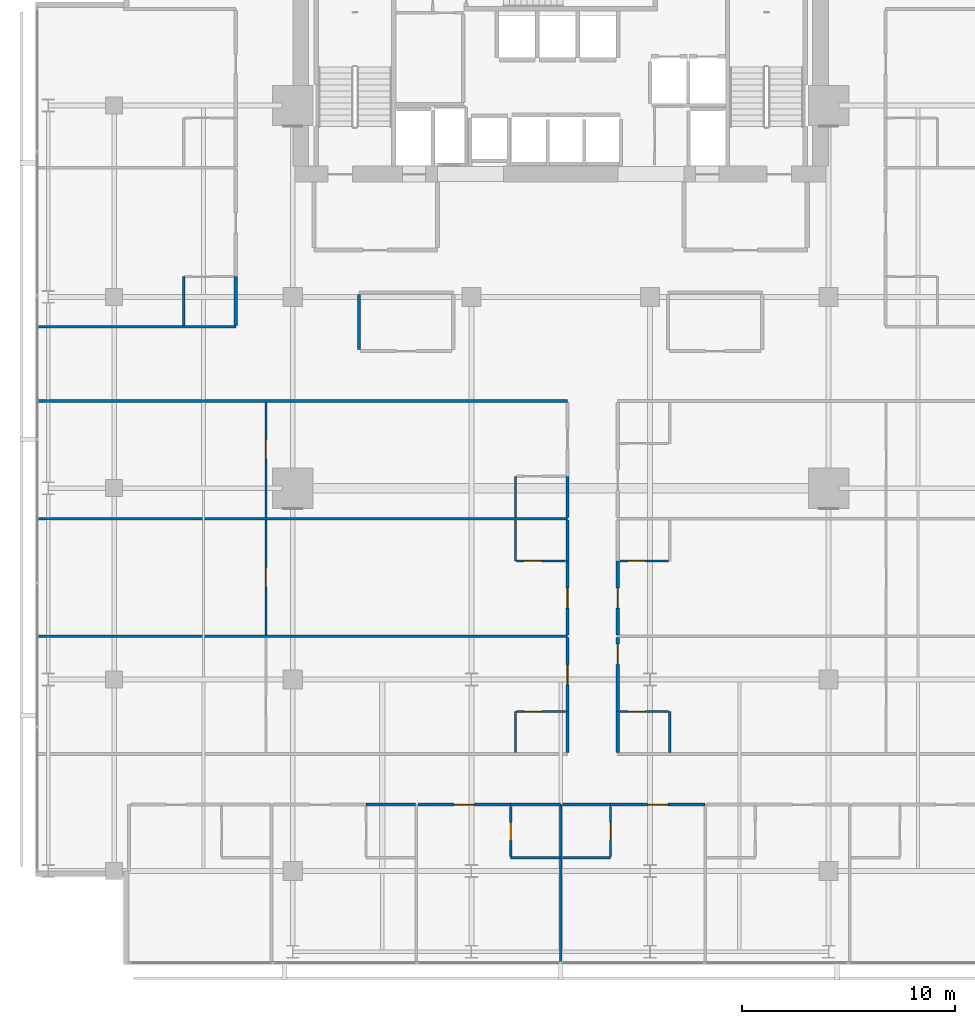
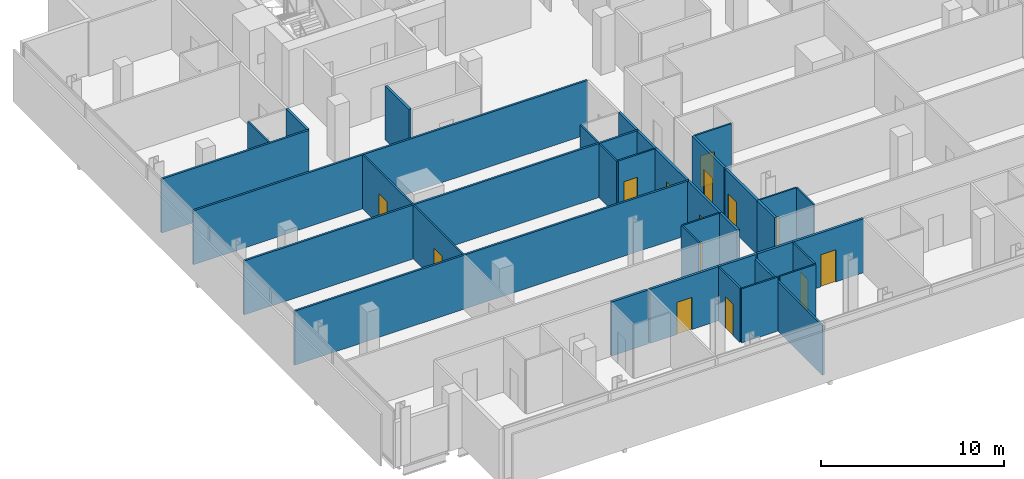
# One storey, part 27 of 33: 35 walls, 14 doors, 14 openings.
"""IFC4 building model written with IfcOpenShell, lengths in metres."""

import ifcopenshell
import ifcopenshell.guid

model = None  # the IFC model being written
_history = None  # IfcOwnerHistory: only IFC2X3 demands one
_inside = {}  # id of a spatial element -> (the spatial element, [elements in it])
_under = {}  # id of a project, library or spatial element -> (it, [spatial elements below it])
_declared = {}  # id of a project -> (the project, [libraries it declares])
_typed = {}  # id of a type object -> (the type object, [elements of that type])
_made_of = {}  # id of a material, layer set ... -> (it, [elements and type objects made of it])


def new_model(schema):
    """Start an empty IFC model of exactly this schema.

    Asked for "IFC4X3", IfcOpenShell would pick the latest addendum, in which some entities
    have other attributes; the version numbers below select the first issue.
    IFC2X3 requires an IfcOwnerHistory on every rooted entity: one is made here for all.
    """
    global model, _history
    if schema == "IFC4X3":
        model = ifcopenshell.file(schema_version=(4, 3, 0, 0))
    else:
        model = ifcopenshell.file(schema=schema)
    _inside.clear()
    _under.clear()
    _declared.clear()
    _typed.clear()
    _made_of.clear()
    _history = None
    if model.schema == "IFC2X3":
        org = make("IfcOrganization", Name="unknown")
        user = make(
            "IfcPersonAndOrganization",
            ThePerson=make("IfcPerson", FamilyName="unknown"),
            TheOrganization=org,
        )
        app = make(
            "IfcApplication",
            ApplicationDeveloper=org,
            Version="unknown",
            ApplicationFullName="unknown",
            ApplicationIdentifier="unknown",
        )
        _history = make(
            "IfcOwnerHistory",
            OwningUser=user,
            OwningApplication=app,
            ChangeAction="ADDED",
            CreationDate=0,
        )
    return model


def make(cls, **values):
    """One entity of the class cls with the attributes given. An attribute that is None is left unset."""
    return model.create_entity(
        cls, **{name: value for name, value in values.items() if value is not None}
    )


def rooted(cls, **values):
    """An entity with a GlobalId (a new one), such as an element, a storey or a relation."""
    return make(cls, GlobalId=ifcopenshell.guid.new(), OwnerHistory=_history, **values)


def si_unit(unit_type, name, prefix=None):
    """IfcSIUnit, for example si_unit("LENGTHUNIT", "METRE", prefix="MILLI")."""
    return make("IfcSIUnit", UnitType=unit_type, Prefix=prefix, Name=name)


def assignment(units):
    """IfcUnitAssignment: the units of a project."""
    return None if units is None else make("IfcUnitAssignment", Units=units)


def point(xyz):
    """IfcCartesianPoint."""
    return None if xyz is None else make("IfcCartesianPoint", Coordinates=xyz)


def direction(xyz):
    """IfcDirection."""
    return None if xyz is None else make("IfcDirection", DirectionRatios=xyz)


def frame(location, z_axis=None, x_axis=None):
    """IfcAxis2Placement3D, a coordinate frame: its origin and axes. An axis left out is left unset."""
    return make(
        "IfcAxis2Placement3D",
        Location=point(location),
        Axis=direction(z_axis),
        RefDirection=direction(x_axis),
    )


def frame_2d(location, x_axis=None):
    """IfcAxis2Placement2D, a coordinate frame in the plane: its origin and x axis."""
    return make(
        "IfcAxis2Placement2D", Location=point(location), RefDirection=direction(x_axis)
    )


def origin():
    """The frame at (0, 0, 0) with its axes left unset."""
    return frame((0.0, 0.0, 0.0))


def place(relative_to, where):
    """IfcLocalPlacement: puts the frame where relative to a parent placement (None: the world)."""
    return make(
        "IfcLocalPlacement", PlacementRelTo=relative_to, RelativePlacement=where
    )


def context(
    kind, dimensions, precision=None, world=None, true_north=None, identifier=None
):
    """IfcGeometricRepresentationContext, for example the 3D "Model" context."""
    return make(
        "IfcGeometricRepresentationContext",
        ContextIdentifier=identifier,
        ContextType=kind,
        CoordinateSpaceDimension=dimensions,
        Precision=precision,
        WorldCoordinateSystem=world,
        TrueNorth=true_north,
    )


def subcontext(parent, identifier, kind, view, scale=None):
    """IfcGeometricRepresentationSubContext, for example "Body" below "Model"."""
    return make(
        "IfcGeometricRepresentationSubContext",
        ContextIdentifier=identifier,
        ContextType=kind,
        ParentContext=parent,
        TargetScale=scale,
        TargetView=view,
    )


def project(units=None, contexts=None):
    """IfcProject with its units and contexts."""
    return rooted(
        "IfcProject",
        Name="project",
        RepresentationContexts=contexts,
        UnitsInContext=assignment(units),
    )


def spatial(cls, under=None, at=None, **own):
    """A site, building, storey or space (cls), placed at a placement, below another one or the project."""
    s = rooted(cls, ObjectPlacement=at, **own)
    if under is not None:
        _under.setdefault(under.id(), (under, []))[1].append(s)
    return s


def profile(cls, at=None, kind="AREA", **sizes):
    """A parametric profile (cls). Its sizes go by their IFC names, for example OverallWidth=200.0."""
    return make(cls, ProfileType=kind, Position=at, **sizes)


def rectangle(**sizes):
    """IfcRectangleProfileDef."""
    return profile("IfcRectangleProfileDef", **sizes)


def extrude(swept, where, along, depth):
    """IfcExtrudedAreaSolid: the profile swept, set in the frame where, extruded along a direction by depth."""
    return make(
        "IfcExtrudedAreaSolid",
        SweptArea=swept,
        Position=where,
        ExtrudedDirection=direction(along),
        Depth=depth,
    )


def shape(context_of_items, identifier, shape_type, items):
    """IfcShapeRepresentation: the items that make up one representation, for example the "Body"."""
    return make(
        "IfcShapeRepresentation",
        ContextOfItems=context_of_items,
        RepresentationIdentifier=identifier,
        RepresentationType=shape_type,
        Items=items,
    )


def material(Name=None, Category=None):
    """IfcMaterial."""
    return make("IfcMaterial", Name=Name, Category=Category)


def layer(
    of_material, thickness, ventilated=None, Name=None, Category=None, Priority=None
):
    """IfcMaterialLayer: one layer of a wall or slab, of a material (None: an air gap)."""
    return make(
        "IfcMaterialLayer",
        Material=of_material,
        LayerThickness=thickness,
        IsVentilated=ventilated,
        Name=Name,
        Category=Category,
        Priority=Priority,
    )


def layer_set(layers, Name=None):
    """IfcMaterialLayerSet."""
    return make("IfcMaterialLayerSet", MaterialLayers=layers, LayerSetName=Name)


def made_of(thing, what):
    """Note that an element or type object is made of a material, layer set ...; save() writes the relation."""
    if what is not None:
        _made_of.setdefault(what.id(), (what, []))[1].append(thing)
    return thing


def type_object(cls, material=None, **own):
    """A type object (cls), such as IfcWallType, which elements share."""
    return made_of(rooted(cls, **own), material)


def element(
    cls,
    number,
    at=None,
    inside=None,
    cuts=None,
    type_object=None,
    material=None,
    context=None,
    identifier="Body",
    shape_type=None,
    held_by="IfcProductDefinitionShape",
    body=None,
    shapes=None,
    **own,
):
    """One element of the class cls, such as IfcWall. Its Tag is "e" and its number.

    at: its placement. inside: the storey or other place that contains it. cuts: it is an
    opening in that element (IfcRelVoidsElement). A single representation is given by context,
    identifier, shape_type and body (its items); several are given by shapes. held_by: the class
    of the entity that holds the representations. save() writes the other relations.
    """
    e = rooted(cls, Tag="e%d" % number, ObjectPlacement=at, **own)
    if body is not None:
        shapes = [shape(context, identifier, shape_type, body)]
    if shapes is not None:
        e.Representation = make(held_by, Representations=shapes)
    if inside is not None:
        _inside.setdefault(inside.id(), (inside, []))[1].append(e)
    if cuts is not None:
        rooted(
            "IfcRelVoidsElement", RelatingBuildingElement=cuts, RelatedOpeningElement=e
        )
    if type_object is not None:
        _typed.setdefault(type_object.id(), (type_object, []))[1].append(e)
    return made_of(e, material)


def fill(opening, filler):
    """IfcRelFillsElement: the door or window that sits in an opening."""
    return rooted(
        "IfcRelFillsElement",
        RelatingOpeningElement=opening,
        RelatedBuildingElement=filler,
    )


def aggregate(whole, parts):
    """IfcRelAggregates: a whole, such as a stair, and the parts it consists of."""
    return rooted("IfcRelAggregates", RelatingObject=whole, RelatedObjects=parts)


def save(model, path):
    """Write the relations noted so far, then the file.

    IfcRelAggregates (storeys below a building ...), IfcRelContainedInSpatialStructure (elements
    in a storey), IfcRelDefinesByType, IfcRelAssociatesMaterial and IfcRelDeclares: one each for
    every whole, place, type object, material and project.
    """
    for whole, parts in _under.values():
        aggregate(whole, parts)
    for where, things in _inside.values():
        rooted(
            "IfcRelContainedInSpatialStructure",
            RelatedElements=things,
            RelatingStructure=where,
        )
    for kind, things in _typed.values():
        rooted("IfcRelDefinesByType", RelatedObjects=things, RelatingType=kind)
    for what, things in _made_of.values():
        rooted("IfcRelAssociatesMaterial", RelatedObjects=things, RelatingMaterial=what)
    for by, libraries in _declared.values():
        rooted("IfcRelDeclares", RelatingContext=by, RelatedDefinitions=libraries)
    model.write(path)


model = new_model("IFC4")

# Units and contexts
model_context = context("Model", 3, precision=1e-05, world=origin(), true_north=direction((0.0, 1.0)))
body_context = subcontext(model_context, "Body", "Model", "MODEL_VIEW")
ifc_project = project(units=[si_unit("LENGTHUNIT", "METRE"), si_unit("AREAUNIT", "SQUARE_METRE"), si_unit("VOLUMEUNIT", "CUBIC_METRE"), si_unit("PLANEANGLEUNIT", "RADIAN"), si_unit("MASSUNIT", "GRAM", prefix="KILO")], contexts=[model_context])

# Site, building, storey
site_placement = place(None, origin())
site = spatial("IfcSite", under=ifc_project, at=site_placement, CompositionType="ELEMENT")
building_placement = place(site_placement, origin())
building = spatial("IfcBuilding", under=site, at=building_placement, Name="Maruvema Waterfront Hotel and Observation Tower", CompositionType="ELEMENT")
storey_placement = place(building_placement, frame((0.0, 0.0, 154.35009765625)))
storey = spatial("IfcBuildingStorey", under=building, at=storey_placement, Name="L37", CompositionType="ELEMENT", Elevation=154.35009765625)

# Walls
ifc_material_1 = material(Name="Twin-stud acoustic gypsum drywall", Category="gypsum")
ifc_layer_1 = layer(ifc_material_1, 0.14990234375, Name="Acoustic Corridor and Suite Demising Wall 150 mm")
ifc_layer_set_1 = layer_set([ifc_layer_1], Name="Twin-stud acoustic gypsum drywall")
wall_type_1 = type_object("IfcWallType", Name="Acoustic Corridor and Suite Demising Wall 150 mm", PredefinedType="PARTITIONING", material=ifc_layer_set_1)
wall_1_placement = place(storey_placement, frame((28.320068359375, 33.530029296875, 0.0), z_axis=(0.0, 0.0, 1.0), x_axis=(0.0, 1.0, 0.0)))
element("IfcWall", 1, at=wall_1_placement, inside=storey, type_object=wall_type_1, Name="L37 L37-M1 West Wall 018", PredefinedType="PARTITIONING", context=body_context, shape_type="SweptSolid", body=[
    extrude(rectangle(XDim=2.590087890625, YDim=0.14990234375, at=frame_2d((1.294921875, 0.0))), origin(), (0.0, 0.0, 1.0), 3.60986328125),
])
for number, where, z_axis, x_axis, name in (
    (2, (28.64990234375, 12.1201171875, 0.0), (0.0, 0.0, 1.0), (1.0, 0.0, 0.0), "L37 Bath L37-S2 Back Wall 032"),
    (3, (35.449951171875, 12.1201171875, 0.0), (0.0, 0.0, 1.0), (1.0, 0.0, 0.0), "L37 Bath L37-S3 Back Wall 037"),
):
    element("IfcWall", number, at=place(storey_placement, frame(where, z_axis=z_axis, x_axis=x_axis)), inside=storey, type_object=wall_type_1, Name=name, PredefinedType="PARTITIONING", context=body_context, shape_type="SweptSolid", body=[
        extrude(rectangle(XDim=2.330078125, YDim=0.14990234375, at=frame_2d((1.1650390625, 0.0))), origin(), (0.0, 0.0, 1.0), 3.60986328125),
    ])

# Wall, opening, door
wall_2_placement = place(storey_placement, frame((31.080078125, 12.1201171875, 0.0), z_axis=(0.0, 0.0, 1.0), x_axis=(1.0, 0.0, 0.0)))
wall_2 = element("IfcWall", 4, at=wall_2_placement, inside=storey, type_object=wall_type_1, Name="L37 Unit L37-S3 Corridor Wall 040", PredefinedType="PARTITIONING", context=body_context, shape_type="SweptSolid", body=[
    extrude(rectangle(XDim=4.369873046875, YDim=0.14990234375, at=frame_2d((2.18505859375, 0.0))), origin(), (0.0, 0.0, 1.0), 3.60986328125),
])
opening_1_placement = place(wall_2_placement, frame((1.7099609375, 0.0, 0.0)))
opening_1 = element("IfcOpeningElement", 5, at=opening_1_placement, cuts=wall_2, Name="Opening DR-095", PredefinedType="OPENING", context=body_context, shape_type="SweptSolid", body=[
    extrude(rectangle(XDim=0.949951171875, YDim=2.14990234375, at=frame_2d((0.47509765625, 1.074951171875))), frame((0.0, 0.0849609375, 0.0), z_axis=(0.0, -1.0, 0.0), x_axis=(1.0, 0.0, 0.0)), (0.0, 0.0, 1.0), 0.169921875),
])
ifc_material_2 = material(Name="Acoustic solid-core hardwood timber leaf", Category="wood")
door_type_1 = type_object("IfcDoorType", Name="Guestroom Entrance Fire Door 950x2150 mm", OperationType="NOTDEFINED", PredefinedType="DOOR", material=ifc_material_2)
door_1_placement = place(opening_1_placement, frame((0.949951171875, 0.0, 0.0), z_axis=(0.0, 0.0, 1.0), x_axis=(-1.0, 0.0, 0.0)))
door_1 = element("IfcDoor", 6, at=door_1_placement, inside=storey, type_object=door_type_1, Name="L37 Unit L37-S3 Entrance Door", OperationType="SINGLE_SWING_RIGHT", OverallHeight=2.14990234375, OverallWidth=0.949951171875, PredefinedType="DOOR", context=body_context, shape_type="SweptSolid", body=[
    extrude(rectangle(XDim=0.949951171875, YDim=2.14990234375, at=frame_2d((0.47509765625, 1.074951171875))), frame((0.0, 0.02490234375, 0.0), z_axis=(0.0, -1.0, 0.0), x_axis=(1.0, 0.0, 0.0)), (0.0, 0.0, 1.0), 0.050048828125),
])
fill(opening_1, door_1)

# Wall
wall_3_placement = place(storey_placement, frame((37.8798828125, 12.1201171875, 0.0), z_axis=(0.0, 0.0, 1.0), x_axis=(1.0, 0.0, 0.0)))
element("IfcWall", 7, at=wall_3_placement, inside=storey, type_object=wall_type_1, Name="L37 Bath L37-S4 Back Wall 042", PredefinedType="PARTITIONING", context=body_context, shape_type="SweptSolid", body=[
    extrude(rectangle(XDim=2.27001953125, YDim=0.14990234375, at=frame_2d((1.135009765625, 0.0))), origin(), (0.0, 0.0, 1.0), 3.60986328125),
])

# Wall, opening, door
wall_4_placement = place(storey_placement, frame((40.14990234375, 12.1201171875, 0.0), z_axis=(0.0, 0.0, 1.0), x_axis=(1.0, 0.0, 0.0)))
wall_4 = element("IfcWall", 8, at=wall_4_placement, inside=storey, type_object=wall_type_1, Name="L37 Unit L37-S4 Corridor Wall 045", PredefinedType="PARTITIONING", context=body_context, shape_type="SweptSolid", body=[
    extrude(rectangle(XDim=4.43017578125, YDim=0.14990234375, at=frame_2d((2.215087890625, 0.0))), origin(), (0.0, 0.0, 1.0), 3.60986328125),
])
opening_2_placement = place(wall_4_placement, frame((1.739990234375, 0.0, 0.0)))
opening_2 = element("IfcOpeningElement", 9, at=opening_2_placement, cuts=wall_4, Name="Opening DR-095", PredefinedType="OPENING", context=body_context, shape_type="SweptSolid", body=[
    extrude(rectangle(XDim=0.949951171875, YDim=2.14990234375, at=frame_2d((0.47509765625, 1.074951171875))), frame((0.0, 0.0849609375, 0.0), z_axis=(0.0, -1.0, 0.0), x_axis=(1.0, 0.0, 0.0)), (0.0, 0.0, 1.0), 0.169921875),
])
door_2_placement = place(opening_2_placement, frame((0.949951171875, 0.0, 0.0), z_axis=(0.0, 0.0, 1.0), x_axis=(-1.0, 0.0, 0.0)))
door_2 = element("IfcDoor", 10, at=door_2_placement, inside=storey, type_object=door_type_1, Name="L37 Unit L37-S4 Entrance Door", OperationType="SINGLE_SWING_RIGHT", OverallHeight=2.14990234375, OverallWidth=0.949951171875, PredefinedType="DOOR", context=body_context, shape_type="SweptSolid", body=[
    extrude(rectangle(XDim=0.949951171875, YDim=2.14990234375, at=frame_2d((0.47509765625, 1.074951171875))), frame((0.0, 0.02490234375, 0.0), z_axis=(0.0, -1.0, 0.0), x_axis=(1.0, 0.0, 0.0)), (0.0, 0.0, 1.0), 0.050048828125),
])
fill(opening_2, door_2)

# Wall
wall_5_placement = place(storey_placement, frame((38.1201171875, 14.56005859375, 0.0), z_axis=(0.0, 0.0, 1.0), x_axis=(0.0, 1.0, 0.0)))
element("IfcWall", 11, at=wall_5_placement, inside=storey, type_object=wall_type_1, Name="L37 Bath L37-W1 Wall 060", PredefinedType="PARTITIONING", context=body_context, shape_type="SweptSolid", body=[
    extrude(rectangle(XDim=1.929931640625, YDim=0.14990234375, at=frame_2d((0.96484375, 0.0))), origin(), (0.0, 0.0, 1.0), 3.60986328125),
])

# Wall, opening, door
wall_6_placement = place(storey_placement, frame((38.1201171875, 16.489990234375, 0.0), z_axis=(0.0, 0.0, 1.0), x_axis=(0.0, 1.0, 0.0)))
wall_6 = element("IfcWall", 12, at=wall_6_placement, inside=storey, type_object=wall_type_1, Name="L37 Room L37-W1 Corridor Wall 061", PredefinedType="PARTITIONING", context=body_context, shape_type="SweptSolid", body=[
    extrude(rectangle(XDim=3.47998046875, YDim=0.14990234375, at=frame_2d((1.739990234375, 0.0))), origin(), (0.0, 0.0, 1.0), 3.60986328125),
])
opening_3_placement = place(wall_6_placement, frame((1.264892578125, 0.0, 0.0)))
opening_3 = element("IfcOpeningElement", 13, at=opening_3_placement, cuts=wall_6, Name="Opening DR-095", PredefinedType="OPENING", context=body_context, shape_type="SweptSolid", body=[
    extrude(rectangle(XDim=0.949951171875, YDim=2.14990234375, at=frame_2d((0.47509765625, 1.074951171875))), frame((0.0, 0.0849609375, 0.0), z_axis=(0.0, -1.0, 0.0), x_axis=(1.0, 0.0, 0.0)), (0.0, 0.0, 1.0), 0.169921875),
])
door_3_placement = place(opening_3_placement, origin())
door_3 = element("IfcDoor", 14, at=door_3_placement, inside=storey, type_object=door_type_1, Name="L37 Room L37-W1 Entrance Door", OperationType="SINGLE_SWING_RIGHT", OverallHeight=2.14990234375, OverallWidth=0.949951171875, PredefinedType="DOOR", context=body_context, shape_type="SweptSolid", body=[
    extrude(rectangle(XDim=0.949951171875, YDim=2.14990234375, at=frame_2d((0.47509765625, 1.074951171875))), frame((0.0, 0.02490234375, 0.0), z_axis=(0.0, -1.0, 0.0), x_axis=(1.0, 0.0, 0.0)), (0.0, 0.0, 1.0), 0.050048828125),
])
fill(opening_3, door_3)

# Wall
wall_7_placement = place(storey_placement, frame((40.47998046875, 14.56005859375, 0.0), z_axis=(0.0, 0.0, 1.0), x_axis=(0.0, 1.0, 0.0)))
element("IfcWall", 15, at=wall_7_placement, inside=storey, type_object=wall_type_1, Name="L37 Bath L37-E1 Wall 065", PredefinedType="PARTITIONING", context=body_context, shape_type="SweptSolid", body=[
    extrude(rectangle(XDim=1.929931640625, YDim=0.14990234375, at=frame_2d((0.96484375, 0.0))), origin(), (0.0, 0.0, 1.0), 3.60986328125),
])

# Wall, opening, door
wall_8_placement = place(storey_placement, frame((40.47998046875, 16.489990234375, 0.0), z_axis=(0.0, 0.0, 1.0), x_axis=(0.0, 1.0, 0.0)))
wall_8 = element("IfcWall", 16, at=wall_8_placement, inside=storey, type_object=wall_type_1, Name="L37 Room L37-E1 Corridor Wall 066", PredefinedType="PARTITIONING", context=body_context, shape_type="SweptSolid", body=[
    extrude(rectangle(XDim=3.47998046875, YDim=0.14990234375, at=frame_2d((1.739990234375, 0.0))), origin(), (0.0, 0.0, 1.0), 3.60986328125),
])
opening_4_placement = place(wall_8_placement, frame((2.22509765625, 0.0, 0.0)))
opening_4 = element("IfcOpeningElement", 17, at=opening_4_placement, cuts=wall_8, Name="Opening DR-095", PredefinedType="OPENING", context=body_context, shape_type="SweptSolid", body=[
    extrude(rectangle(XDim=0.949951171875, YDim=2.14990234375, at=frame_2d((0.47509765625, 1.074951171875))), frame((0.0, 0.0849609375, 0.0), z_axis=(0.0, -1.0, 0.0), x_axis=(1.0, 0.0, 0.0)), (0.0, 0.0, 1.0), 0.169921875),
])
door_4_placement = place(opening_4_placement, frame((0.949951171875, 0.0, 0.0), z_axis=(0.0, 0.0, 1.0), x_axis=(-1.0, 0.0, 0.0)))
door_4 = element("IfcDoor", 18, at=door_4_placement, inside=storey, type_object=door_type_1, Name="L37 Room L37-E1 Entrance Door", OperationType="SINGLE_SWING_LEFT", OverallHeight=2.14990234375, OverallWidth=0.949951171875, PredefinedType="DOOR", context=body_context, shape_type="SweptSolid", body=[
    extrude(rectangle(XDim=0.949951171875, YDim=2.14990234375, at=frame_2d((0.47509765625, 1.074951171875))), frame((0.0, 0.02490234375, 0.0), z_axis=(0.0, -1.0, 0.0), x_axis=(1.0, 0.0, 0.0)), (0.0, 0.0, 1.0), 0.050048828125),
])
fill(opening_4, door_4)

wall_9_placement = place(storey_placement, frame((38.1201171875, 20.090087890625, 0.0), z_axis=(0.0, 0.0, 1.0), x_axis=(0.0, 1.0, 0.0)))
wall_9 = element("IfcWall", 19, at=wall_9_placement, inside=storey, type_object=wall_type_1, Name="L37 Room L37-W2 Corridor Wall 072", PredefinedType="PARTITIONING", context=body_context, shape_type="SweptSolid", body=[
    extrude(rectangle(XDim=3.489990234375, YDim=0.14990234375, at=frame_2d((1.7451171875, 0.0))), origin(), (0.0, 0.0, 1.0), 3.60986328125),
])
opening_5_placement = place(wall_9_placement, frame((1.27001953125, 0.0, 0.0)))
opening_5 = element("IfcOpeningElement", 20, at=opening_5_placement, cuts=wall_9, Name="Opening DR-095", PredefinedType="OPENING", context=body_context, shape_type="SweptSolid", body=[
    extrude(rectangle(XDim=0.949951171875, YDim=2.14990234375, at=frame_2d((0.47509765625, 1.074951171875))), frame((0.0, 0.0849609375, 0.0), z_axis=(0.0, -1.0, 0.0), x_axis=(1.0, 0.0, 0.0)), (0.0, 0.0, 1.0), 0.169921875),
])
door_5_placement = place(opening_5_placement, origin())
door_5 = element("IfcDoor", 21, at=door_5_placement, inside=storey, type_object=door_type_1, Name="L37 Room L37-W2 Entrance Door", OperationType="SINGLE_SWING_RIGHT", OverallHeight=2.14990234375, OverallWidth=0.949951171875, PredefinedType="DOOR", context=body_context, shape_type="SweptSolid", body=[
    extrude(rectangle(XDim=0.949951171875, YDim=2.14990234375, at=frame_2d((0.47509765625, 1.074951171875))), frame((0.0, 0.02490234375, 0.0), z_axis=(0.0, -1.0, 0.0), x_axis=(1.0, 0.0, 0.0)), (0.0, 0.0, 1.0), 0.050048828125),
])
fill(opening_5, door_5)

# Wall
wall_10_placement = place(storey_placement, frame((38.1201171875, 23.580078125, 0.0), z_axis=(0.0, 0.0, 1.0), x_axis=(0.0, 1.0, 0.0)))
element("IfcWall", 22, at=wall_10_placement, inside=storey, type_object=wall_type_1, Name="L37 Bath L37-W2 Wall 073", PredefinedType="PARTITIONING", context=body_context, shape_type="SweptSolid", body=[
    extrude(rectangle(XDim=1.929931640625, YDim=0.14990234375, at=frame_2d((0.96484375, 0.0))), origin(), (0.0, 0.0, 1.0), 3.60986328125),
])

# Wall, opening, door
wall_11_placement = place(storey_placement, frame((40.47998046875, 20.090087890625, 0.0), z_axis=(0.0, 0.0, 1.0), x_axis=(0.0, 1.0, 0.0)))
wall_11 = element("IfcWall", 23, at=wall_11_placement, inside=storey, type_object=wall_type_1, Name="L37 Room L37-E2 Corridor Wall 077", PredefinedType="PARTITIONING", context=body_context, shape_type="SweptSolid", body=[
    extrude(rectangle(XDim=3.489990234375, YDim=0.14990234375, at=frame_2d((1.7451171875, 0.0))), origin(), (0.0, 0.0, 1.0), 3.60986328125),
])
opening_6_placement = place(wall_11_placement, frame((1.27001953125, 0.0, 0.0)))
opening_6 = element("IfcOpeningElement", 24, at=opening_6_placement, cuts=wall_11, Name="Opening DR-095", PredefinedType="OPENING", context=body_context, shape_type="SweptSolid", body=[
    extrude(rectangle(XDim=0.949951171875, YDim=2.14990234375, at=frame_2d((0.47509765625, 1.074951171875))), frame((0.0, 0.0849609375, 0.0), z_axis=(0.0, -1.0, 0.0), x_axis=(1.0, 0.0, 0.0)), (0.0, 0.0, 1.0), 0.169921875),
])
door_6_placement = place(opening_6_placement, frame((0.949951171875, 0.0, 0.0), z_axis=(0.0, 0.0, 1.0), x_axis=(-1.0, 0.0, 0.0)))
door_6 = element("IfcDoor", 25, at=door_6_placement, inside=storey, type_object=door_type_1, Name="L37 Room L37-E2 Entrance Door", OperationType="SINGLE_SWING_LEFT", OverallHeight=2.14990234375, OverallWidth=0.949951171875, PredefinedType="DOOR", context=body_context, shape_type="SweptSolid", body=[
    extrude(rectangle(XDim=0.949951171875, YDim=2.14990234375, at=frame_2d((0.47509765625, 1.074951171875))), frame((0.0, 0.02490234375, 0.0), z_axis=(0.0, -1.0, 0.0), x_axis=(1.0, 0.0, 0.0)), (0.0, 0.0, 1.0), 0.050048828125),
])
fill(opening_6, door_6)

# Walls
wall_12_placement = place(storey_placement, frame((38.1201171875, 25.6298828125, 0.0), z_axis=(0.0, 0.0, 1.0), x_axis=(0.0, 1.0, 0.0)))
element("IfcWall", 26, at=wall_12_placement, inside=storey, type_object=wall_type_1, Name="L37 Bath L37-W3 Wall 084", PredefinedType="PARTITIONING", context=body_context, shape_type="SweptSolid", body=[
    extrude(rectangle(XDim=1.93017578125, YDim=0.14990234375, at=frame_2d((0.965087890625, 0.0))), origin(), (0.0, 0.0, 1.0), 3.60986328125),
])
wall_13_placement = place(storey_placement, frame((22.52001953125, 34.659912109375, 0.0), z_axis=(0.0, 0.0, 1.0), x_axis=(0.0, 1.0, 0.0)))
element("IfcWall", 27, at=wall_13_placement, inside=storey, type_object=wall_type_1, Name="L37 Bath L37-NW1 Wall 098", PredefinedType="PARTITIONING", context=body_context, shape_type="SweptSolid", body=[
    extrude(rectangle(XDim=2.2900390625, YDim=0.14990234375, at=frame_2d((1.14501953125, 0.0))), origin(), (0.0, 0.0, 1.0), 3.60986328125),
])
ifc_material_3 = material(Name="Moisture-resistant cement-board drywall", Category="gypsum")
ifc_layer_2 = layer(ifc_material_3, 0.10009765625, Name="En-Suite Moisture-Resistant Partition 100 mm")
ifc_layer_set_2 = layer_set([ifc_layer_2], Name="Moisture-resistant cement-board drywall")
wall_type_2 = type_object("IfcWallType", Name="En-Suite Moisture-Resistant Partition 100 mm", PredefinedType="PARTITIONING", material=ifc_layer_set_2)
wall_14_placement = place(storey_placement, frame((35.449951171875, 9.6201171875, 0.0), z_axis=(0.0, 0.0, 1.0), x_axis=(1.0, 0.0, 0.0)))
element("IfcWall", 28, at=wall_14_placement, inside=storey, type_object=wall_type_2, Name="L37 En-Suite L37-S3 South 038", PredefinedType="PARTITIONING", context=body_context, shape_type="SweptSolid", body=[
    extrude(rectangle(XDim=2.31005859375, YDim=0.10009765625, at=frame_2d((1.155029296875, 0.0))), origin(), (0.0, 0.0, 1.0), 3.60986328125),
])

# Wall, opening, door
wall_15_placement = place(storey_placement, frame((35.449951171875, 9.679931640625, 0.0), z_axis=(0.0, 0.0, 1.0), x_axis=(0.0, 1.0, 0.0)))
wall_15 = element("IfcWall", 29, at=wall_15_placement, inside=storey, type_object=wall_type_2, Name="L37 En-Suite L37-S3 West 039", PredefinedType="PARTITIONING", context=body_context, shape_type="SweptSolid", body=[
    extrude(rectangle(XDim=2.340087890625, YDim=0.10009765625, at=frame_2d((1.169921875, 0.0))), origin(), (0.0, 0.0, 1.0), 3.60986328125),
])
opening_7_placement = place(wall_15_placement, frame((0.7451171875, 0.0, 0.0)))
opening_7 = element("IfcOpeningElement", 30, at=opening_7_placement, cuts=wall_15, Name="Opening DR-085", PredefinedType="OPENING", context=body_context, shape_type="SweptSolid", body=[
    extrude(rectangle(XDim=0.85009765625, YDim=2.10009765625, at=frame_2d((0.425048828125, 1.050048828125))), frame((0.0, 0.06005859375, 0.0), z_axis=(0.0, -1.0, 0.0), x_axis=(1.0, 0.0, 0.0)), (0.0, 0.0, 1.0), 0.1201171875),
])
ifc_material_4 = material(Name="Moisture-resistant solid timber leaf", Category="wood")
door_type_2 = type_object("IfcDoorType", Name="En-Suite Bathroom Door 850x2100 mm", OperationType="NOTDEFINED", PredefinedType="DOOR", material=ifc_material_4)
door_7_placement = place(opening_7_placement, origin())
door_7 = element("IfcDoor", 31, at=door_7_placement, inside=storey, type_object=door_type_2, Name="L37 En-Suite L37-S3 Door", OperationType="SINGLE_SWING_LEFT", OverallHeight=2.10009765625, OverallWidth=0.85009765625, PredefinedType="DOOR", context=body_context, shape_type="SweptSolid", body=[
    extrude(rectangle(XDim=0.85009765625, YDim=2.10009765625, at=frame_2d((0.425048828125, 1.050048828125))), frame((0.0, 0.02490234375, 0.0), z_axis=(0.0, -1.0, 0.0), x_axis=(1.0, 0.0, 0.0)), (0.0, 0.0, 1.0), 0.050048828125),
])
fill(opening_7, door_7)

# Wall
wall_16_placement = place(storey_placement, frame((37.8798828125, 9.6201171875, 0.0), z_axis=(0.0, 0.0, 1.0), x_axis=(1.0, 0.0, 0.0)))
element("IfcWall", 32, at=wall_16_placement, inside=storey, type_object=wall_type_2, Name="L37 En-Suite L37-S4 South 043", PredefinedType="PARTITIONING", context=body_context, shape_type="SweptSolid", body=[
    extrude(rectangle(XDim=2.27001953125, YDim=0.10009765625, at=frame_2d((1.135009765625, 0.0))), origin(), (0.0, 0.0, 1.0), 3.60986328125),
])

# Wall, opening, door
wall_17_placement = place(storey_placement, frame((40.14990234375, 9.679931640625, 0.0), z_axis=(0.0, 0.0, 1.0), x_axis=(0.0, 1.0, 0.0)))
wall_17 = element("IfcWall", 33, at=wall_17_placement, inside=storey, type_object=wall_type_2, Name="L37 En-Suite L37-S4 East 044", PredefinedType="PARTITIONING", context=body_context, shape_type="SweptSolid", body=[
    extrude(rectangle(XDim=2.340087890625, YDim=0.10009765625, at=frame_2d((1.169921875, 0.0))), origin(), (0.0, 0.0, 1.0), 3.60986328125),
])
opening_8_placement = place(wall_17_placement, frame((0.7451171875, 0.0, 0.0)))
opening_8 = element("IfcOpeningElement", 34, at=opening_8_placement, cuts=wall_17, Name="Opening DR-085", PredefinedType="OPENING", context=body_context, shape_type="SweptSolid", body=[
    extrude(rectangle(XDim=0.85009765625, YDim=2.10009765625, at=frame_2d((0.425048828125, 1.050048828125))), frame((0.0, 0.06005859375, 0.0), z_axis=(0.0, -1.0, 0.0), x_axis=(1.0, 0.0, 0.0)), (0.0, 0.0, 1.0), 0.1201171875),
])
door_8_placement = place(opening_8_placement, frame((0.85009765625, 0.0, 0.0), z_axis=(0.0, 0.0, 1.0), x_axis=(-1.0, 0.0, 0.0)))
door_8 = element("IfcDoor", 35, at=door_8_placement, inside=storey, type_object=door_type_2, Name="L37 En-Suite L37-S4 Door", OperationType="SINGLE_SWING_LEFT", OverallHeight=2.10009765625, OverallWidth=0.85009765625, PredefinedType="DOOR", context=body_context, shape_type="SweptSolid", body=[
    extrude(rectangle(XDim=0.85009765625, YDim=2.10009765625, at=frame_2d((0.425048828125, 1.050048828125))), frame((0.0, 0.02490234375, 0.0), z_axis=(0.0, -1.0, 0.0), x_axis=(1.0, 0.0, 0.0)), (0.0, 0.0, 1.0), 0.050048828125),
])
fill(opening_8, door_8)

# Wall
wall_18_placement = place(storey_placement, frame((35.669921875, 14.56005859375, 0.0), z_axis=(0.0, 0.0, 1.0), x_axis=(0.0, 1.0, 0.0)))
element("IfcWall", 36, at=wall_18_placement, inside=storey, type_object=wall_type_2, Name="L37 En-Suite L37-W1 W 062", PredefinedType="PARTITIONING", context=body_context, shape_type="SweptSolid", body=[
    extrude(rectangle(XDim=1.929931640625, YDim=0.10009765625, at=frame_2d((0.96484375, 0.0))), origin(), (0.0, 0.0, 1.0), 3.60986328125),
])

# Wall, opening, door
wall_19_placement = place(storey_placement, frame((35.719970703125, 16.489990234375, 0.0), z_axis=(0.0, 0.0, 1.0), x_axis=(1.0, 0.0, 0.0)))
wall_19 = element("IfcWall", 37, at=wall_19_placement, inside=storey, type_object=wall_type_2, Name="L37 En-Suite L37-W1 N 063", PredefinedType="PARTITIONING", context=body_context, shape_type="SweptSolid", body=[
    extrude(rectangle(XDim=2.300048828125, YDim=0.10009765625, at=frame_2d((1.14990234375, 0.0))), origin(), (0.0, 0.0, 1.0), 3.60986328125),
])
opening_9_placement = place(wall_19_placement, frame((0.35009765625, 0.0, 0.0)))
opening_9 = element("IfcOpeningElement", 38, at=opening_9_placement, cuts=wall_19, Name="Opening DR-085", PredefinedType="OPENING", context=body_context, shape_type="SweptSolid", body=[
    extrude(rectangle(XDim=0.85009765625, YDim=2.10009765625, at=frame_2d((0.425048828125, 1.050048828125))), frame((0.0, 0.06005859375, 0.0), z_axis=(0.0, -1.0, 0.0), x_axis=(1.0, 0.0, 0.0)), (0.0, 0.0, 1.0), 0.1201171875),
])
door_9_placement = place(opening_9_placement, origin())
door_9 = element("IfcDoor", 39, at=door_9_placement, inside=storey, type_object=door_type_2, Name="L37 En-Suite L37-W1 Door", OperationType="SINGLE_SWING_LEFT", OverallHeight=2.10009765625, OverallWidth=0.85009765625, PredefinedType="DOOR", context=body_context, shape_type="SweptSolid", body=[
    extrude(rectangle(XDim=0.85009765625, YDim=2.10009765625, at=frame_2d((0.425048828125, 1.050048828125))), frame((0.0, 0.02490234375, 0.0), z_axis=(0.0, -1.0, 0.0), x_axis=(1.0, 0.0, 0.0)), (0.0, 0.0, 1.0), 0.050048828125),
])
fill(opening_9, door_9)

# Wall
wall_20_placement = place(storey_placement, frame((42.929931640625, 14.56005859375, 0.0), z_axis=(0.0, 0.0, 1.0), x_axis=(0.0, 1.0, 0.0)))
element("IfcWall", 40, at=wall_20_placement, inside=storey, type_object=wall_type_2, Name="L37 En-Suite L37-E1 E 067", PredefinedType="PARTITIONING", context=body_context, shape_type="SweptSolid", body=[
    extrude(rectangle(XDim=1.929931640625, YDim=0.10009765625, at=frame_2d((0.96484375, 0.0))), origin(), (0.0, 0.0, 1.0), 3.60986328125),
])

# Wall, opening, door
wall_21_placement = place(storey_placement, frame((40.580078125, 16.489990234375, 0.0), z_axis=(0.0, 0.0, 1.0), x_axis=(1.0, 0.0, 0.0)))
wall_21 = element("IfcWall", 41, at=wall_21_placement, inside=storey, type_object=wall_type_2, Name="L37 En-Suite L37-E1 N 068", PredefinedType="PARTITIONING", context=body_context, shape_type="SweptSolid", body=[
    extrude(rectangle(XDim=2.2998046875, YDim=0.10009765625, at=frame_2d((1.14990234375, 0.0))), origin(), (0.0, 0.0, 1.0), 3.60986328125),
])
opening_10_placement = place(wall_21_placement, frame((0.35009765625, 0.0, 0.0)))
opening_10 = element("IfcOpeningElement", 42, at=opening_10_placement, cuts=wall_21, Name="Opening DR-085", PredefinedType="OPENING", context=body_context, shape_type="SweptSolid", body=[
    extrude(rectangle(XDim=0.85009765625, YDim=2.10009765625, at=frame_2d((0.425048828125, 1.050048828125))), frame((0.0, 0.06005859375, 0.0), z_axis=(0.0, -1.0, 0.0), x_axis=(1.0, 0.0, 0.0)), (0.0, 0.0, 1.0), 0.1201171875),
])
door_10_placement = place(opening_10_placement, origin())
door_10 = element("IfcDoor", 43, at=door_10_placement, inside=storey, type_object=door_type_2, Name="L37 En-Suite L37-E1 Door", OperationType="SINGLE_SWING_RIGHT", OverallHeight=2.10009765625, OverallWidth=0.85009765625, PredefinedType="DOOR", context=body_context, shape_type="SweptSolid", body=[
    extrude(rectangle(XDim=0.85009765625, YDim=2.10009765625, at=frame_2d((0.425048828125, 1.050048828125))), frame((0.0, 0.02490234375, 0.0), z_axis=(0.0, -1.0, 0.0), x_axis=(1.0, 0.0, 0.0)), (0.0, 0.0, 1.0), 0.050048828125),
])
fill(opening_10, door_10)

# Wall
wall_22_placement = place(storey_placement, frame((35.669921875, 23.580078125, 0.0), z_axis=(0.0, 0.0, 1.0), x_axis=(0.0, 1.0, 0.0)))
element("IfcWall", 44, at=wall_22_placement, inside=storey, type_object=wall_type_2, Name="L37 En-Suite L37-W2 W 074", PredefinedType="PARTITIONING", context=body_context, shape_type="SweptSolid", body=[
    extrude(rectangle(XDim=1.929931640625, YDim=0.10009765625, at=frame_2d((0.96484375, 0.0))), origin(), (0.0, 0.0, 1.0), 3.60986328125),
])

# Wall, opening, door
wall_23_placement = place(storey_placement, frame((35.719970703125, 23.580078125, 0.0), z_axis=(0.0, 0.0, 1.0), x_axis=(1.0, 0.0, 0.0)))
wall_23 = element("IfcWall", 45, at=wall_23_placement, inside=storey, type_object=wall_type_2, Name="L37 En-Suite L37-W2 S 075", PredefinedType="PARTITIONING", context=body_context, shape_type="SweptSolid", body=[
    extrude(rectangle(XDim=2.300048828125, YDim=0.10009765625, at=frame_2d((1.14990234375, 0.0))), origin(), (0.0, 0.0, 1.0), 3.60986328125),
])
opening_11_placement = place(wall_23_placement, frame((0.35009765625, 0.0, 0.0)))
opening_11 = element("IfcOpeningElement", 46, at=opening_11_placement, cuts=wall_23, Name="Opening DR-085", PredefinedType="OPENING", context=body_context, shape_type="SweptSolid", body=[
    extrude(rectangle(XDim=0.85009765625, YDim=2.10009765625, at=frame_2d((0.425048828125, 1.050048828125))), frame((0.0, 0.06005859375, 0.0), z_axis=(0.0, -1.0, 0.0), x_axis=(1.0, 0.0, 0.0)), (0.0, 0.0, 1.0), 0.1201171875),
])
door_11_placement = place(opening_11_placement, frame((0.85009765625, 0.0, 0.0), z_axis=(0.0, 0.0, 1.0), x_axis=(-1.0, 0.0, 0.0)))
door_11 = element("IfcDoor", 47, at=door_11_placement, inside=storey, type_object=door_type_2, Name="L37 En-Suite L37-W2 Door", OperationType="SINGLE_SWING_LEFT", OverallHeight=2.10009765625, OverallWidth=0.85009765625, PredefinedType="DOOR", context=body_context, shape_type="SweptSolid", body=[
    extrude(rectangle(XDim=0.85009765625, YDim=2.10009765625, at=frame_2d((0.425048828125, 1.050048828125))), frame((0.0, 0.02490234375, 0.0), z_axis=(0.0, -1.0, 0.0), x_axis=(1.0, 0.0, 0.0)), (0.0, 0.0, 1.0), 0.050048828125),
])
fill(opening_11, door_11)

wall_24_placement = place(storey_placement, frame((23.93359375, 20.090087890625, 0.0), z_axis=(0.0, 0.0, 1.0), x_axis=(0.0, 1.0, 0.0)))
wall_24 = element("IfcWall", 48, at=wall_24_placement, inside=storey, type_object=wall_type_2, Name="L37 Suite L37-W2 Split 076", PredefinedType="PARTITIONING", context=body_context, shape_type="SweptSolid", body=[
    extrude(rectangle(XDim=5.419921875, YDim=0.10009765625, at=frame_2d((2.7099609375, 0.0))), origin(), (0.0, 0.0, 1.0), 3.60986328125),
])
opening_12_placement = place(wall_24_placement, frame((2.260009765625, 0.0, 0.0)))
opening_12 = element("IfcOpeningElement", 49, at=opening_12_placement, cuts=wall_24, Name="Opening DR-090", PredefinedType="OPENING", context=body_context, shape_type="SweptSolid", body=[
    extrude(rectangle(XDim=0.89990234375, YDim=2.10009765625, at=frame_2d((0.449951171875, 1.050048828125))), frame((0.0, 0.06005859375, 0.0), z_axis=(0.0, -1.0, 0.0), x_axis=(1.0, 0.0, 0.0)), (0.0, 0.0, 1.0), 0.1201171875),
])
ifc_material_5 = material(Name="Solid-core lacquered timber leaf", Category="wood")
door_type_3 = type_object("IfcDoorType", Name="Accessible Toilet and Room Door 900x2100 mm", OperationType="NOTDEFINED", PredefinedType="DOOR", material=ifc_material_5)
door_12_placement = place(opening_12_placement, origin())
door_12 = element("IfcDoor", 50, at=door_12_placement, inside=storey, type_object=door_type_3, Name="L37 Suite L37-W2 Bedroom Door", OperationType="SINGLE_SWING_LEFT", OverallHeight=2.10009765625, OverallWidth=0.89990234375, PredefinedType="DOOR", context=body_context, shape_type="SweptSolid", body=[
    extrude(rectangle(XDim=0.89990234375, YDim=2.10009765625, at=frame_2d((0.449951171875, 1.050048828125))), frame((0.0, 0.02490234375, 0.0), z_axis=(0.0, -1.0, 0.0), x_axis=(1.0, 0.0, 0.0)), (0.0, 0.0, 1.0), 0.050048828125),
])
fill(opening_12, door_12)

wall_25_placement = place(storey_placement, frame((40.580078125, 23.580078125, 0.0), z_axis=(0.0, 0.0, 1.0), x_axis=(1.0, 0.0, 0.0)))
wall_25 = element("IfcWall", 51, at=wall_25_placement, inside=storey, type_object=wall_type_2, Name="L37 En-Suite L37-E2 S 080", PredefinedType="PARTITIONING", context=body_context, shape_type="SweptSolid", body=[
    extrude(rectangle(XDim=2.2998046875, YDim=0.10009765625, at=frame_2d((1.14990234375, 0.0))), origin(), (0.0, 0.0, 1.0), 3.60986328125),
])
opening_13_placement = place(wall_25_placement, frame((0.35009765625, 0.0, 0.0)))
opening_13 = element("IfcOpeningElement", 52, at=opening_13_placement, cuts=wall_25, Name="Opening DR-085", PredefinedType="OPENING", context=body_context, shape_type="SweptSolid", body=[
    extrude(rectangle(XDim=0.85009765625, YDim=2.10009765625, at=frame_2d((0.425048828125, 1.050048828125))), frame((0.0, 0.06005859375, 0.0), z_axis=(0.0, -1.0, 0.0), x_axis=(1.0, 0.0, 0.0)), (0.0, 0.0, 1.0), 0.1201171875),
])
door_13_placement = place(opening_13_placement, frame((0.85009765625, 0.0, 0.0), z_axis=(0.0, 0.0, 1.0), x_axis=(-1.0, 0.0, 0.0)))
door_13 = element("IfcDoor", 53, at=door_13_placement, inside=storey, type_object=door_type_2, Name="L37 En-Suite L37-E2 Door", OperationType="SINGLE_SWING_RIGHT", OverallHeight=2.10009765625, OverallWidth=0.85009765625, PredefinedType="DOOR", context=body_context, shape_type="SweptSolid", body=[
    extrude(rectangle(XDim=0.85009765625, YDim=2.10009765625, at=frame_2d((0.425048828125, 1.050048828125))), frame((0.0, 0.02490234375, 0.0), z_axis=(0.0, -1.0, 0.0), x_axis=(1.0, 0.0, 0.0)), (0.0, 0.0, 1.0), 0.050048828125),
])
fill(opening_13, door_13)

# Wall
wall_26_placement = place(storey_placement, frame((35.669921875, 25.6298828125, 0.0), z_axis=(0.0, 0.0, 1.0), x_axis=(0.0, 1.0, 0.0)))
element("IfcWall", 54, at=wall_26_placement, inside=storey, type_object=wall_type_2, Name="L37 En-Suite L37-W3 W 086", PredefinedType="PARTITIONING", context=body_context, shape_type="SweptSolid", body=[
    extrude(rectangle(XDim=1.93017578125, YDim=0.10009765625, at=frame_2d((0.965087890625, 0.0))), origin(), (0.0, 0.0, 1.0), 3.60986328125),
])

# Wall, opening, door
wall_27_placement = place(storey_placement, frame((23.93359375, 25.6298828125, 0.0), z_axis=(0.0, 0.0, 1.0), x_axis=(0.0, 1.0, 0.0)))
wall_27 = element("IfcWall", 55, at=wall_27_placement, inside=storey, type_object=wall_type_2, Name="L37 Suite L37-W3 Split 088", PredefinedType="PARTITIONING", context=body_context, shape_type="SweptSolid", body=[
    extrude(rectangle(XDim=5.41015625, YDim=0.10009765625, at=frame_2d((2.705078125, 0.0))), origin(), (0.0, 0.0, 1.0), 3.60986328125),
])
opening_14_placement = place(wall_27_placement, frame((2.735107421875, 0.0, 0.0)))
opening_14 = element("IfcOpeningElement", 56, at=opening_14_placement, cuts=wall_27, Name="Opening DR-090", PredefinedType="OPENING", context=body_context, shape_type="SweptSolid", body=[
    extrude(rectangle(XDim=0.89990234375, YDim=2.10009765625, at=frame_2d((0.449951171875, 1.050048828125))), frame((0.0, 0.06005859375, 0.0), z_axis=(0.0, -1.0, 0.0), x_axis=(1.0, 0.0, 0.0)), (0.0, 0.0, 1.0), 0.1201171875),
])
door_14_placement = place(opening_14_placement, origin())
door_14 = element("IfcDoor", 57, at=door_14_placement, inside=storey, type_object=door_type_3, Name="L37 Suite L37-W3 Bedroom Door", OperationType="SINGLE_SWING_LEFT", OverallHeight=2.10009765625, OverallWidth=0.89990234375, PredefinedType="DOOR", context=body_context, shape_type="SweptSolid", body=[
    extrude(rectangle(XDim=0.89990234375, YDim=2.10009765625, at=frame_2d((0.449951171875, 1.050048828125))), frame((0.0, 0.02490234375, 0.0), z_axis=(0.0, -1.0, 0.0), x_axis=(1.0, 0.0, 0.0)), (0.0, 0.0, 1.0), 0.050048828125),
])
fill(opening_14, door_14)

# Walls
wall_28_placement = place(storey_placement, frame((20.070068359375, 34.659912109375, 0.0), z_axis=(0.0, 0.0, 1.0), x_axis=(0.0, 1.0, 0.0)))
element("IfcWall", 58, at=wall_28_placement, inside=storey, type_object=wall_type_2, Name="L37 En-Suite L37-NW1 W 100", PredefinedType="PARTITIONING", context=body_context, shape_type="SweptSolid", body=[
    extrude(rectangle(XDim=2.2900390625, YDim=0.10009765625, at=frame_2d((1.14501953125, 0.0))), origin(), (0.0, 0.0, 1.0), 3.60986328125),
])
ifc_material_6 = material(Name="Acoustic gypsum plasterboard drywall", Category="gypsum")
ifc_layer_3 = layer(ifc_material_6, 0.125, Name="Guestroom Acoustic Demising Wall 125 mm")
ifc_layer_set_3 = layer_set([ifc_layer_3], Name="Acoustic gypsum plasterboard drywall")
wall_type_3 = type_object("IfcWallType", Name="Guestroom Acoustic Demising Wall 125 mm", PredefinedType="PARTITIONING", material=ifc_layer_set_3)
wall_29_placement = place(storey_placement, frame((37.800048828125, 4.699951171875, 0.0), z_axis=(0.0, 0.0, 1.0), x_axis=(0.0, 1.0, 0.0)))
element("IfcWall", 59, at=wall_29_placement, inside=storey, type_object=wall_type_3, Name="L37 Z2 S Demising 4 041", PredefinedType="PARTITIONING", context=body_context, shape_type="SweptSolid", body=[
    extrude(rectangle(XDim=7.420166015625, YDim=0.125, at=frame_2d((3.7099609375, 0.0))), origin(), (0.0, 0.0, 1.0), 3.2998046875),
])
for number, where, z_axis, x_axis, name in (
    (60, (13.199951171875, 31.10009765625, 0.0), (0.0, 0.0, 1.0), (1.0, 0.0, 0.0), "L37 Z2 W Top End 058"),
    (61, (13.199951171875, 20.030029296875, 0.0), (0.0, 0.0, 1.0), (1.0, 0.0, 0.0), "L37 Z2 W Demising 2 070"),
    (62, (13.199951171875, 25.570068359375, 0.0), (0.0, 0.0, 1.0), (1.0, 0.0, 0.0), "L37 Z2 W Demising 3 082"),
):
    element("IfcWall", number, at=place(storey_placement, frame(where, z_axis=z_axis, x_axis=x_axis)), inside=storey, type_object=wall_type_3, Name=name, PredefinedType="PARTITIONING", context=body_context, shape_type="SweptSolid", body=[
        extrude(rectangle(XDim=24.920166015625, YDim=0.125, at=frame_2d((12.4599609375, 0.0))), origin(), (0.0, 0.0, 1.0), 3.60986328125),
    ])
wall_30_placement = place(storey_placement, frame((13.199951171875, 34.60009765625, 0.0), z_axis=(0.0, 0.0, 1.0), x_axis=(1.0, 0.0, 0.0)))
element("IfcWall", 63, at=wall_30_placement, inside=storey, type_object=wall_type_3, Name="L37 Z2 NW Bot End 094", PredefinedType="PARTITIONING", context=body_context, shape_type="SweptSolid", body=[
    extrude(rectangle(XDim=9.320068359375, YDim=0.125, at=frame_2d((4.66015625, 0.0))), origin(), (0.0, 0.0, 1.0), 3.60986328125),
])

save(model, "model.ifc")
